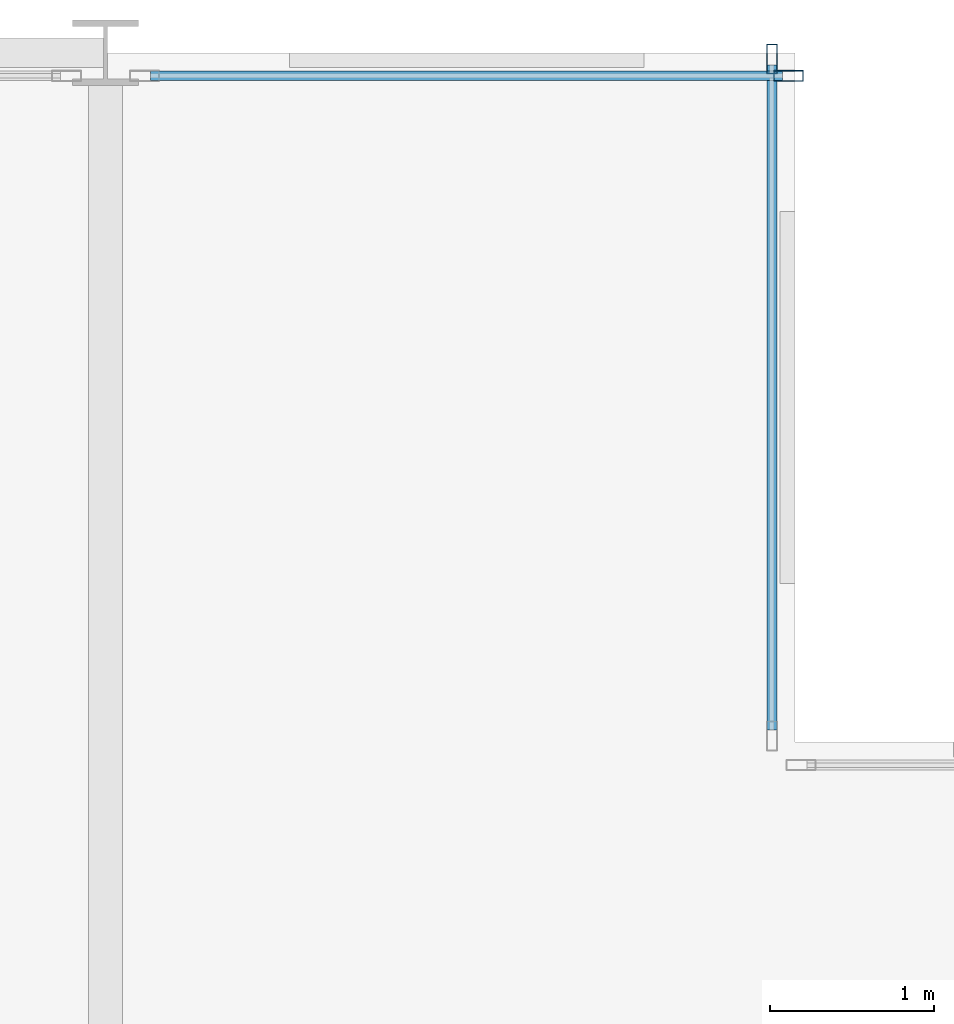
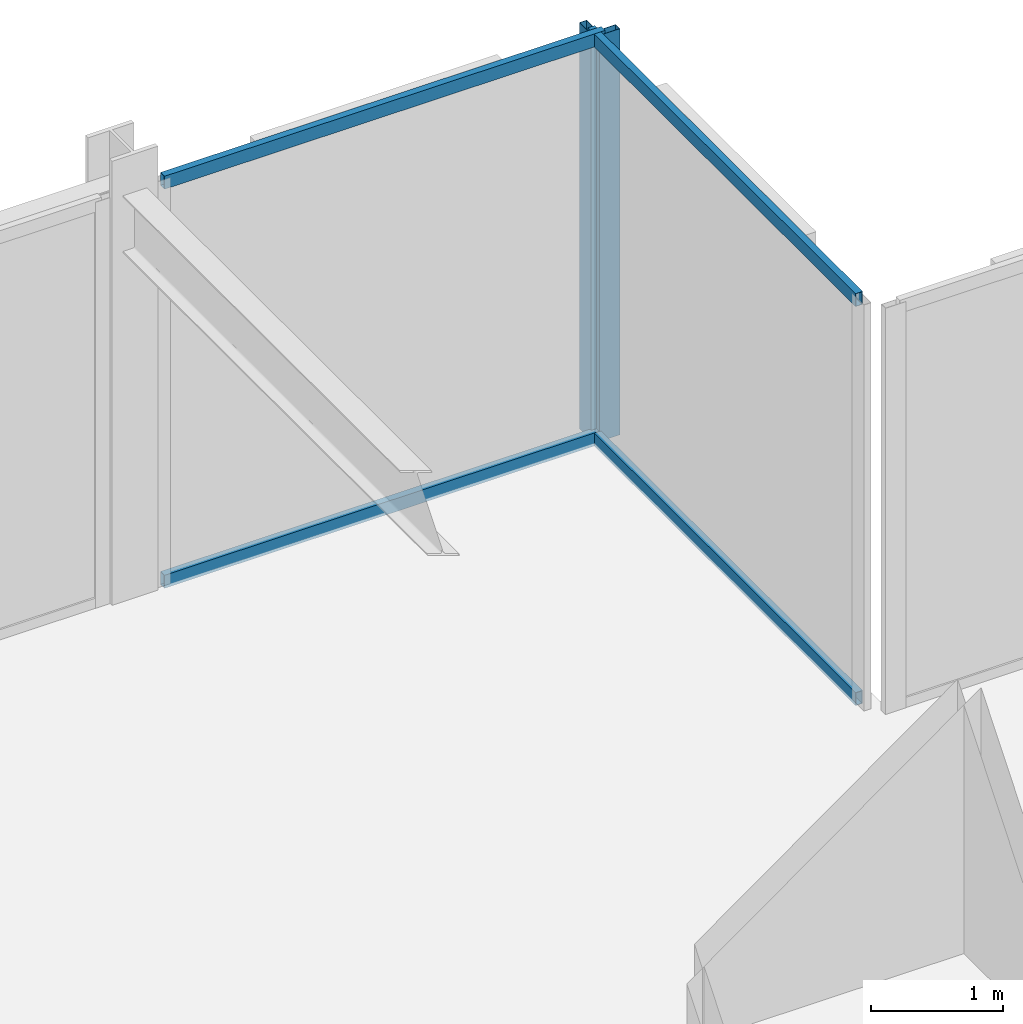
# One storey, part 22 of 29: 6 members, 2 elements without a shape of their own.
"""IFC4 building model written with IfcOpenShell, lengths in metres."""

from ifc_helpers import new_model, si_unit, direction, frame, origin, origin_2d, place, context, subcontext, project, spatial, hollow_rectangle, extrude, material, layer, layer_set, material_profile, profile_set, type_object, element, aggregate, save


model = new_model("IFC4")

# Units and contexts
model_context = context("Model", 3, precision=1e-05, world=origin(), true_north=direction((0.0, 1.0)))
body_context = subcontext(model_context, "Body", "Model", "MODEL_VIEW")
ifc_project = project(units=[si_unit("LENGTHUNIT", "METRE"), si_unit("AREAUNIT", "SQUARE_METRE"), si_unit("VOLUMEUNIT", "CUBIC_METRE"), si_unit("PLANEANGLEUNIT", "RADIAN"), si_unit("MASSUNIT", "GRAM", prefix="KILO")], contexts=[model_context])

# Site, building, storey
site_placement = place(None, origin())
site = spatial("IfcSite", under=ifc_project, at=site_placement, CompositionType="ELEMENT")
building_placement = place(site_placement, origin())
building = spatial("IfcBuilding", under=site, at=building_placement, Name="Nerrivon Quay Data Exchange", CompositionType="ELEMENT")
storey_placement = place(building_placement, frame((0.0, 0.0, 158.199951171875)))
storey = spatial("IfcBuildingStorey", under=building, at=storey_placement, Name="L37", CompositionType="ELEMENT", Elevation=158.199951171875)

# Curtain wall, member
ifc_material = material(Name="Anodised aluminium 6063-T6", Category="aluminium")
ifc_layer = layer(ifc_material, 0.2099609375)
ifc_layer_set = layer_set([ifc_layer], Name="Anodised aluminium 6063-T6")
curtain_wall_type = type_object("IfcCurtainWallType", Name="CW-SYS-02", PredefinedType="NOTDEFINED", material=ifc_layer_set)
curtain_wall_1_placement = place(storey_placement, origin())
curtain_wall_1 = element("IfcCurtainWall", 1, at=curtain_wall_1_placement, inside=storey, type_object=curtain_wall_type, Name="L37 Unitised Curtain Wall 20", PredefinedType="NOTDEFINED")
ifc_material_profile_1 = material_profile(ifc_material, hollow_rectangle(XDim=0.06494140625, YDim=0.179931640625, WallThickness=0.00341796875, at=origin_2d()), Name="ALU-MULL-180x65")
ifc_profile_set_1 = profile_set([ifc_material_profile_1], Name="Anodised aluminium 6063-T6")
member_type_1 = type_object("IfcMemberType", Name="CWM-180x65", PredefinedType="MULLION", material=ifc_profile_set_1)
member_1_placement = place(storey_placement, frame((20.96240234375, 50.260009765625, 0.0), z_axis=(0.0, 0.0, 1.0), x_axis=(0.0, 1.0, 0.0)))
member_1 = element("IfcMember", 2, at=member_1_placement, type_object=member_type_1, Name="CW02 mullion 2", PredefinedType="MULLION", context=body_context, shape_type="SweptSolid", body=[
    extrude(hollow_rectangle(XDim=0.06494140625, YDim=0.179931640625, WallThickness=0.00341796875, at=origin_2d()), origin(), (0.0, 0.0, 1.0), 3.75),
])

curtain_wall_2_placement = place(storey_placement, origin())
curtain_wall_2 = element("IfcCurtainWall", 3, at=curtain_wall_2_placement, inside=storey, type_object=curtain_wall_type, Name="L37 Unitised Curtain Wall 21", PredefinedType="NOTDEFINED")
member_2_placement = place(storey_placement, frame((20.860107421875, 50.362548828125, 0.0), z_axis=(0.0, 0.0, 1.0), x_axis=(1.0, 0.0, 0.0)))
member_2 = element("IfcMember", 4, at=member_2_placement, type_object=member_type_1, Name="CW02 mullion 1", PredefinedType="MULLION", context=body_context, shape_type="SweptSolid", body=[
    extrude(hollow_rectangle(XDim=0.06494140625, YDim=0.179931640625, WallThickness=0.00341796875, at=origin_2d()), origin(), (0.0, 0.0, 1.0), 3.75),
])

# Member
ifc_material_profile_2 = material_profile(ifc_material, hollow_rectangle(XDim=0.06005859375, YDim=0.1201171875, WallThickness=0.003173828125, at=origin_2d()), Name="ALU-TRAN-120x60")
ifc_profile_set_2 = profile_set([ifc_material_profile_2], Name="Anodised aluminium 6063-T6")
member_type_2 = type_object("IfcMemberType", Name="CWT-120x60", PredefinedType="USERDEFINED", material=ifc_profile_set_2)
member_3_placement = place(storey_placement, frame((17.074951171875, 50.260009765625, 0.032470703125), z_axis=(1.0, 0.0, 0.0), x_axis=(0.0, 1.0, 0.0)))
member_3 = element("IfcMember", 5, at=member_3_placement, type_object=member_type_2, Name="CW02 transom 1.1", ObjectType="TRANSOM", PredefinedType="USERDEFINED", context=body_context, shape_type="SweptSolid", body=[
    extrude(hollow_rectangle(XDim=0.06005859375, YDim=0.1201171875, WallThickness=0.003173828125, at=origin_2d()), origin(), (0.0, 0.0, 1.0), 3.85009765625),
])

member_4_placement = place(storey_placement, frame((17.074951171875, 50.260009765625, 3.717529296875), z_axis=(1.0, 0.0, 0.0), x_axis=(0.0, 1.0, 0.0)))
member_4 = element("IfcMember", 6, at=member_4_placement, type_object=member_type_2, Name="CW02 transom 1.2", ObjectType="TRANSOM", PredefinedType="USERDEFINED", context=body_context, shape_type="SweptSolid", body=[
    extrude(hollow_rectangle(XDim=0.06005859375, YDim=0.1201171875, WallThickness=0.003173828125, at=origin_2d()), origin(), (0.0, 0.0, 1.0), 3.85009765625),
])

aggregate(curtain_wall_1, [member_1, member_3, member_4])

member_5_placement = place(storey_placement, frame((20.860107421875, 50.324951171875, 0.032470703125), z_axis=(0.0, -1.0, 0.0), x_axis=(1.0, 0.0, 0.0)))
member_5 = element("IfcMember", 7, at=member_5_placement, type_object=member_type_2, Name="CW02 transom 1.1", ObjectType="TRANSOM", PredefinedType="USERDEFINED", context=body_context, shape_type="SweptSolid", body=[
    extrude(hollow_rectangle(XDim=0.06005859375, YDim=0.1201171875, WallThickness=0.003173828125, at=origin_2d()), origin(), (0.0, 0.0, 1.0), 4.050048828125),
])

member_6_placement = place(storey_placement, frame((20.860107421875, 50.324951171875, 3.717529296875), z_axis=(0.0, -1.0, 0.0), x_axis=(1.0, 0.0, 0.0)))
member_6 = element("IfcMember", 8, at=member_6_placement, type_object=member_type_2, Name="CW02 transom 1.2", ObjectType="TRANSOM", PredefinedType="USERDEFINED", context=body_context, shape_type="SweptSolid", body=[
    extrude(hollow_rectangle(XDim=0.06005859375, YDim=0.1201171875, WallThickness=0.003173828125, at=origin_2d()), origin(), (0.0, 0.0, 1.0), 4.050048828125),
])

aggregate(curtain_wall_2, [member_2, member_5, member_6])

save(model, "model.ifc")
